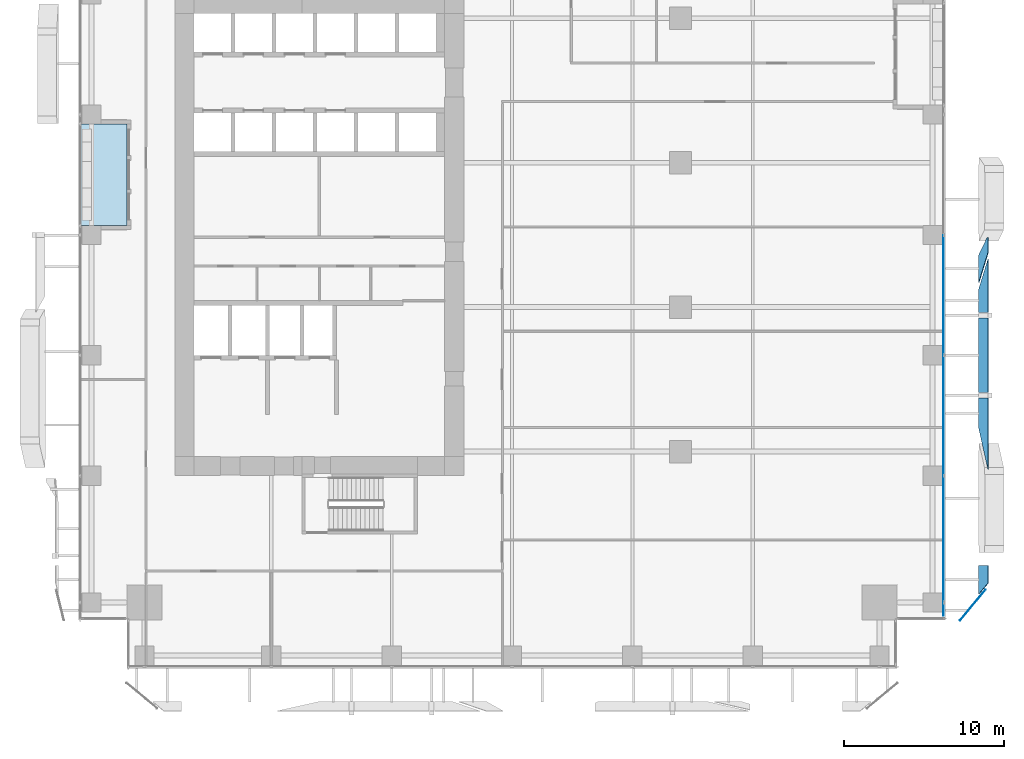
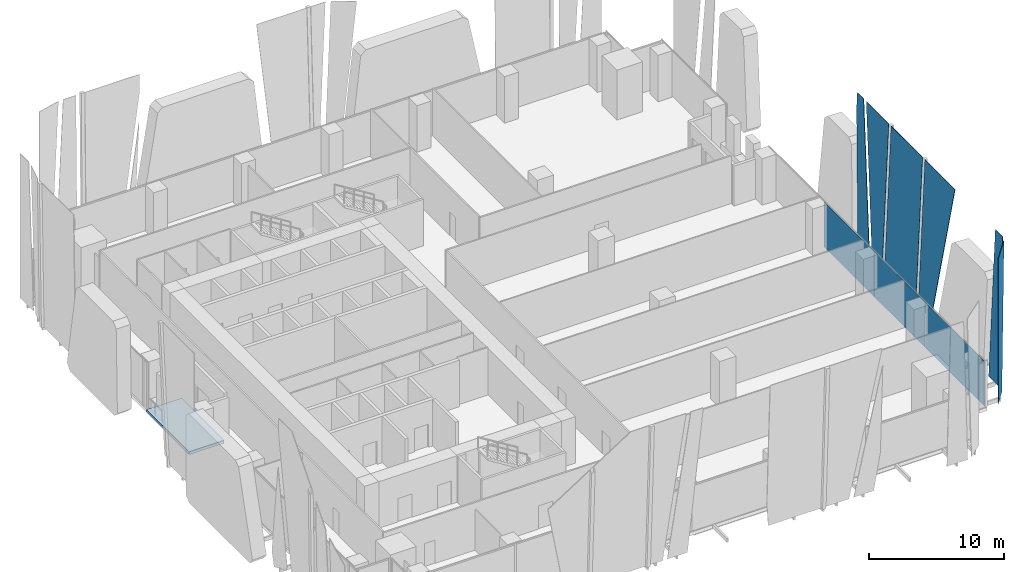
# One storey, part 26 of 37: 10 plates, 1 slab, 1 element without a shape of its own.
"""IFC4 building model written with IfcOpenShell, lengths in metres."""

from ifc_helpers import new_model, si_unit, direction, frame, origin, origin_2d, place, context, subcontext, project, spatial, polyline, rectangle, outline, extrude, source, transform, mapped, material, layer, layer_set, type_object, element, aggregate, save


model = new_model("IFC4")

# Units and contexts
model_context = context("Model", 3, precision=1e-05, world=origin(), true_north=direction((0.0, 1.0)))
body_context = subcontext(model_context, "Body", "Model", "MODEL_VIEW")
ifc_project = project(units=[si_unit("LENGTHUNIT", "METRE"), si_unit("AREAUNIT", "SQUARE_METRE"), si_unit("VOLUMEUNIT", "CUBIC_METRE"), si_unit("PLANEANGLEUNIT", "RADIAN"), si_unit("MASSUNIT", "GRAM", prefix="KILO")], contexts=[model_context])

# Site, building, storey
site_placement = place(None, origin())
site = spatial("IfcSite", under=ifc_project, at=site_placement, CompositionType="ELEMENT")
building_placement = place(site_placement, origin())
building = spatial("IfcBuilding", under=site, at=building_placement, Name="Khomas Fold Tower", CompositionType="ELEMENT")
storey_placement = place(building_placement, frame((0.0, 0.0, 60.0)))
storey = spatial("IfcBuildingStorey", under=building, at=storey_placement, Name="L12", CompositionType="ELEMENT", Elevation=60.0)

# Plates
ifc_material_1 = material(Name="Clear laminated glass", Category="glass")
ifc_layer_1 = layer(ifc_material_1, 0.0400390625)
ifc_layer_set_1 = layer_set([ifc_layer_1], Name="Clear laminated glass")
plate_type_1 = type_object("IfcPlateType", Name="SK-Clear laminated glass leaf", PredefinedType="SHEET", material=ifc_layer_set_1)
plate_1_placement = place(storey_placement, frame((56.08251953125, 6.39990234375, 0.0), z_axis=(-0.99904235518, 0.0, 0.043753543365), x_axis=(0.0, -1.0, 0.0)))
element("IfcPlate", 1, at=plate_1_placement, inside=storey, type_object=plate_type_1, Name="OUTER SKIN glass L12 EG098-1", PredefinedType="SHEET", context=body_context, shape_type="SweptSolid", body=[
    extrude(outline(polyline([(0.0, 0.0), (1.78076171875, 0.0), (1.0947265625, 13.062558119247585), (0.0, 13.062558119247585), (0.0, 0.0)])), origin(), (0.0, 0.0, -1.0), 0.0400390625),
])
plate_2_placement = place(storey_placement, frame((56.487060546875, 4.904541015625, 13.050048828125), z_axis=(-0.768216357464, 0.640190306177, 9.34679e-07), x_axis=(-0.043692652337, -0.052428906534, -0.997668362679)))
element("IfcPlate", 2, at=plate_2_placement, inside=storey, type_object=plate_type_1, Name="OUTER SKIN glass L12 EG098-2", PredefinedType="SHEET", context=body_context, shape_type="SweptSolid", body=[
    extrude(outline(polyline([(0.0, 0.0), (13.080547921845024, 0.0), (13.188821001713519, 1.5827579231051128), (0.16920015447197936, 2.4734023024010394), (0.0, 0.0)])), origin(), (0.0, 0.0, -1.0), 0.0400390625),
])
plate_3_placement = place(storey_placement, frame((56.08251953125, 25.764892578125, 0.0), z_axis=(-0.999042377971, 6.393543e-06, 0.043753022502), x_axis=(-6.38742e-06, -0.99999999998, 2.79737e-07)))
element("IfcPlate", 3, at=plate_3_placement, inside=storey, type_object=plate_type_1, Name="OUTER SKIN glass L12 EG102-3", PredefinedType="SHEET", context=body_context, shape_type="SweptSolid", body=[
    extrude(outline(polyline([(0.0, 0.0), (1.717529296839896, 0.0), (-0.13476562504078757, 13.062558119245809), (-1.065185546896771, 13.062558119245809), (-1.0651855470050122, 11.734138298417044), (0.0, 0.0)])), origin(), (0.0, 0.0, -1.0), 0.0400390625),
])
plate_4_placement = place(storey_placement, frame((56.08251953125, 14.9296875, 0.0), z_axis=(-0.99904235518, 0.0, 0.043753543365), x_axis=(0.042939741855, -0.191972378581, 0.98046049611)))
element("IfcPlate", 4, at=plate_4_placement, inside=storey, type_object=plate_type_1, Name="OUTER SKIN glass L12 EG100-4", PredefinedType="SHEET", context=body_context, shape_type="SweptSolid", body=[
    extrude(outline(polyline([(0.0, 0.0), (13.310122008900128, 4.440892098500626e-16), (12.454776327967345, 4.3726943372036855), (-0.36482250851401543, 1.865043984701013), (0.0, 0.0)])), origin(), (0.0, 0.0, -1.0), 0.0400390625),
])
plate_5_placement = place(storey_placement, frame((56.08251953125, 17.169921875, 0.0), z_axis=(-0.99904235518, 0.0, 0.043753543365), x_axis=(0.043753543365, 0.0, 0.99904235518)))
element("IfcPlate", 5, at=plate_5_placement, inside=storey, type_object=plate_type_1, Name="OUTER SKIN glass L12 EG101-6", PredefinedType="SHEET", context=body_context, shape_type="SweptSolid", body=[
    extrude(outline(polyline([(0.0, 0.0), (13.062558119247587, 0.0), (13.062558119247587, 4.66015625), (0.0, 4.66015625), (0.0, 0.0)])), origin(), (0.0, 0.0, -1.0), 0.0400390625),
])
plate_6_placement = place(storey_placement, frame((56.08251953125, 23.643310546875, 0.0), z_axis=(-0.99904235518, 0.0, 0.043753543365), x_axis=(0.0, -1.0, 0.0)))
element("IfcPlate", 6, at=plate_6_placement, inside=storey, type_object=plate_type_1, Name="OUTER SKIN glass L12 EG102-8", PredefinedType="SHEET", context=body_context, shape_type="SweptSolid", body=[
    extrude(outline(polyline([(0.0, 0.0), (1.473388671875, 0.0), (1.473388671875, 13.062558119247587), (-1.8525390625, 13.062558119247587), (0.0, 0.0)])), origin(), (0.0, 0.0, -1.0), 0.0400390625),
])

# Curtain wall, plates
ifc_material_2 = material(Name="Aluminium framed double glazing", Category="aluminium")
curtain_wall_type = type_object("IfcCurtainWallType", Name="SK-Unitised clear-glass wall, growing floors CW1", PredefinedType="NOTDEFINED", material=ifc_material_2)
curtain_wall_placement = place(storey_placement, origin())
curtain_wall = element("IfcCurtainWall", 7, at=curtain_wall_placement, inside=storey, type_object=curtain_wall_type, Name="CW1 run L12 03-0", PredefinedType="NOTDEFINED")
ifc_material_3 = material(Name="Clear double glazed unit")
ifc_layer_2 = layer(ifc_material_3, 0.031982421875)
ifc_layer_set_2 = layer_set([ifc_layer_2], Name="Clear double glazed unit")
plate_type_2 = type_object("IfcPlateType", Name="SK-Unitised clear-glass wall, growing floors glass panel CW1-P", PredefinedType="CURTAIN_PANEL", material=ifc_layer_set_2)
shared_shape_1 = source(origin(), body_context, "Body", "SweptSolid", [
    extrude(rectangle(XDim=0.81005859375, YDim=0.031982421875, at=origin_2d()), origin(), (0.0, 0.0, 1.0), 4.080078125),
])
plate_7_placement = place(storey_placement, frame((53.89990234375, 3.6650390625, 0.0), z_axis=(0.0, 0.0, 1.0), x_axis=(0.0, 1.0, 0.0)))
plate_7 = element("IfcPlate", 8, at=plate_7_placement, type_object=plate_type_2, Name="CW1 glass panel 1", PredefinedType="CURTAIN_PANEL", context=body_context, shape_type="MappedRepresentation", body=[
    mapped(shared_shape_1, transform((0.0, 0.0, 0.0))),
])
shared_shape_2 = source(origin(), body_context, "Body", "SweptSolid", [
    extrude(rectangle(XDim=7.840087890625, YDim=0.031982421875, at=origin_2d()), origin(), (0.0, 0.0, 1.0), 4.080078125),
])
plate_8_placement = place(storey_placement, frame((53.89990234375, 8.050048828125, 0.0), z_axis=(0.0, 0.0, 1.0), x_axis=(0.0, 1.0, 0.0)))
plate_8 = element("IfcPlate", 9, at=plate_8_placement, type_object=plate_type_2, Name="CW1 glass panel 2", PredefinedType="CURTAIN_PANEL", context=body_context, shape_type="MappedRepresentation", body=[
    mapped(shared_shape_2, transform((0.0, 0.0, 0.0))),
])
shared_shape_3 = source(origin(), body_context, "Body", "SweptSolid", [
    extrude(rectangle(XDim=7.43994140625, YDim=0.031982421875, at=origin_2d()), origin(), (0.0, 0.0, 1.0), 4.080078125),
])
plate_9_placement = place(storey_placement, frame((53.89990234375, 15.75, 0.0), z_axis=(0.0, 0.0, 1.0), x_axis=(0.0, 1.0, 0.0)))
plate_9 = element("IfcPlate", 10, at=plate_9_placement, type_object=plate_type_2, Name="CW1 glass panel 3", PredefinedType="CURTAIN_PANEL", context=body_context, shape_type="MappedRepresentation", body=[
    mapped(shared_shape_3, transform((0.0, 0.0, 0.0))),
])
plate_10_placement = place(storey_placement, frame((53.89990234375, 23.25, 0.0), z_axis=(0.0, 0.0, 1.0), x_axis=(0.0, 1.0, 0.0)))
plate_10 = element("IfcPlate", 11, at=plate_10_placement, type_object=plate_type_2, Name="CW1 glass panel 4", PredefinedType="CURTAIN_PANEL", context=body_context, shape_type="MappedRepresentation", body=[
    mapped(shared_shape_3, transform((0.0, 0.0, 0.0))),
])
aggregate(curtain_wall, [plate_7, plate_8, plate_9, plate_10])

# Slab
ifc_material_4 = material(Name="Concrete C40/50", Category="concrete")
ifc_layer_3 = layer(ifc_material_4, 0.2548828125)
ifc_layer_set_3 = layer_set([ifc_layer_3], Name="Concrete C40/50")
slab_type = type_object("IfcSlabType", Name="BL-Balcony deck 255", PredefinedType="FLOOR", material=ifc_layer_set_3)
shared_shape_4 = source(origin(), body_context, "Body", "SweptSolid", [
    extrude(outline(polyline([(0.0, 27.60009765625), (3.0, 27.60009765625), (3.0, 33.89990234375), (0.0, 33.89990234375), (0.0, 27.60009765625)])), origin(), (0.0, 0.0, 1.0), 0.255126953125),
])
slab_placement = place(storey_placement, frame((0.0, 0.0, -0.300048828125)))
element("IfcSlab", 12, at=slab_placement, inside=storey, type_object=slab_type, Name="Balcony deck BAL-L12-W3", PredefinedType="FLOOR", context=body_context, shape_type="MappedRepresentation", body=[
    mapped(shared_shape_4, transform((0.0, 0.0, 0.0))),
])

save(model, "model.ifc")
